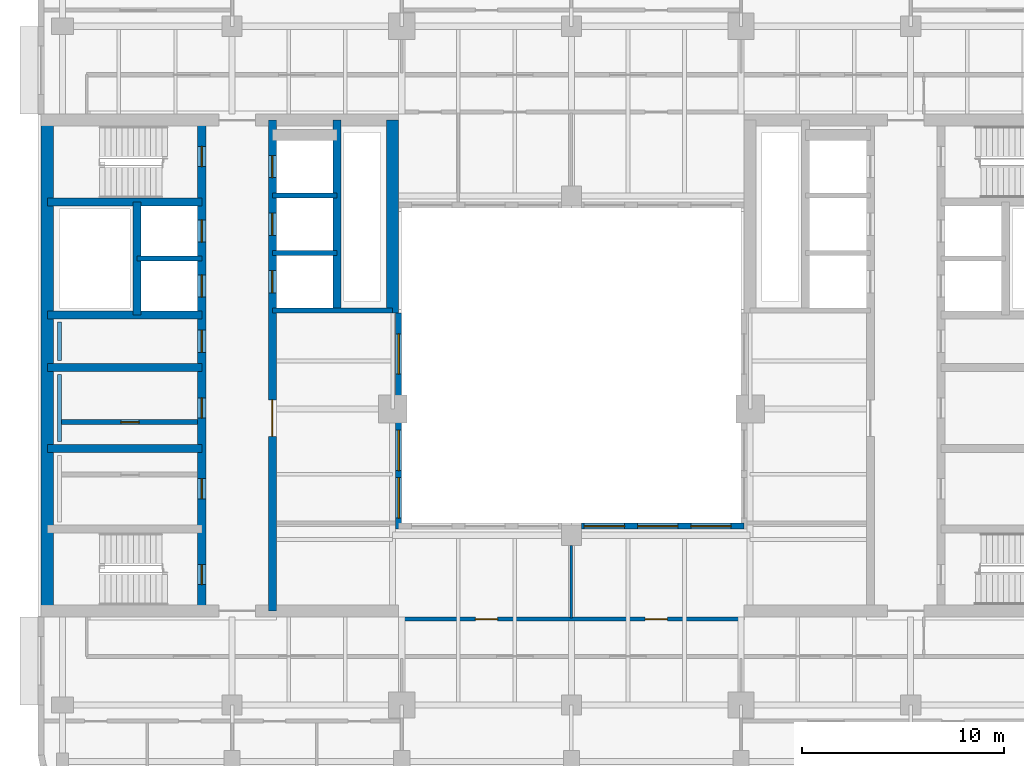
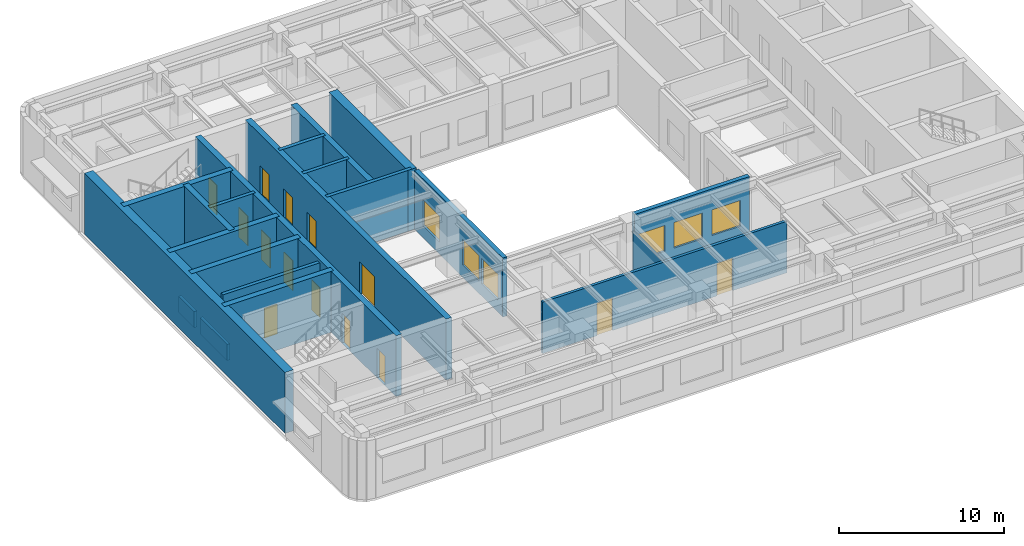
# One storey, part 4 of 11: 21 walls, 14 doors, 6 windows, 20 openings.
"""IFC4 building model written with IfcOpenShell, lengths in metres."""

from ifc_helpers import new_model, si_unit, direction, frame, frame_2d, origin, place, context, subcontext, project, spatial, rectangle, extrude, material, layer, layer_set, type_object, element, fill, save


model = new_model("IFC4")

# Units and contexts
model_context = context("Model", 3, precision=1e-05, world=origin(), true_north=direction((0.0, 1.0)))
body_context = subcontext(model_context, "Body", "Model", "MODEL_VIEW")
ifc_project = project(units=[si_unit("LENGTHUNIT", "METRE"), si_unit("AREAUNIT", "SQUARE_METRE"), si_unit("VOLUMEUNIT", "CUBIC_METRE"), si_unit("PLANEANGLEUNIT", "RADIAN"), si_unit("MASSUNIT", "GRAM", prefix="KILO")], contexts=[model_context])

# Site, building, storey
site_placement = place(None, origin())
site = spatial("IfcSite", under=ifc_project, at=site_placement, CompositionType="ELEMENT")
building_placement = place(site_placement, origin())
building = spatial("IfcBuilding", under=site, at=building_placement, Name="Claustro Exchange Tower", CompositionType="ELEMENT")
storey_placement = place(building_placement, frame((0.0, 0.0, 259.199951171875)))
storey = spatial("IfcBuildingStorey", under=building, at=storey_placement, Name="L59", CompositionType="ELEMENT", Elevation=259.199951171875)

# Wall
ifc_material_1 = material(Name="Laminated glass in aluminium frame", Category="aluminium")
ifc_layer_1 = layer(ifc_material_1, 0.1201171875)
ifc_layer_set_1 = layer_set([ifc_layer_1], Name="Laminated glass in aluminium frame")
wall_type_1 = type_object("IfcWallType", Name="P2 120 glazed partition", PredefinedType="PARTITIONING", material=ifc_layer_set_1)
wall_1_placement = place(storey_placement, frame((25.199951171875, 12.697998046875, 0.0), z_axis=(0.0, 0.0, 1.0), x_axis=(0.0, 1.0, 0.0)))
element("IfcWall", 1, at=wall_1_placement, inside=storey, type_object=wall_type_1, Name="Partition P2 L59", PredefinedType="PARTITIONING", context=body_context, shape_type="SweptSolid", body=[
    extrude(rectangle(XDim=3.60302734375, YDim=0.1201171875, at=frame_2d((1.801513671875, 0.0))), origin(), (0.0, 0.0, 1.0), 3.800048828125),
])

# Wall, openings, doors
ifc_material_2 = material(Name="Twin-skin gypsum board on steel studs, mineral wool", Category="steel")
ifc_layer_2 = layer(ifc_material_2, 0.199951171875)
ifc_layer_set_2 = layer_set([ifc_layer_2], Name="Twin-skin gypsum board on steel studs, mineral wool")
wall_type_2 = type_object("IfcWallType", Name="P3 200 acoustic partition", PredefinedType="PARTITIONING", material=ifc_layer_set_2)
wall_2_placement = place(storey_placement, frame((16.64990234375, 12.64990234375, 0.0), z_axis=(0.0, 0.0, 1.0), x_axis=(1.0, 0.0, 0.0)))
wall_2 = element("IfcWall", 2, at=wall_2_placement, inside=storey, type_object=wall_type_2, Name="Partition P3 L59", PredefinedType="PARTITIONING", context=body_context, shape_type="SweptSolid", body=[
    extrude(rectangle(XDim=17.10009765625, YDim=0.199951171875, at=frame_2d((8.550048828125, 0.0))), origin(), (0.0, 0.0, 1.0), 3.800048828125),
])
opening_1_placement = place(wall_2_placement, frame((3.80029296875, 0.0, 0.0)))
opening_1 = element("IfcOpeningElement", 3, at=opening_1_placement, cuts=wall_2, Name="Opening D8", PredefinedType="OPENING", context=body_context, shape_type="SweptSolid", body=[
    extrude(rectangle(XDim=1.10009765625, YDim=2.39990234375, at=frame_2d((0.550048828125, 1.199951171875))), frame((0.0, 0.10986328125, 0.0), z_axis=(0.0, -1.0, 0.0), x_axis=(1.0, 0.0, 0.0)), (0.0, 0.0, 1.0), 0.219970703125),
])
opening_2_placement = place(wall_2_placement, frame((12.2001953125, 0.0, 0.0)))
opening_2 = element("IfcOpeningElement", 4, at=opening_2_placement, cuts=wall_2, Name="Opening D8", PredefinedType="OPENING", context=body_context, shape_type="SweptSolid", body=[
    extrude(rectangle(XDim=1.10009765625, YDim=2.39990234375, at=frame_2d((0.550048828125, 1.199951171875))), frame((0.0, 0.10986328125, 0.0), z_axis=(0.0, -1.0, 0.0), x_axis=(1.0, 0.0, 0.0)), (0.0, 0.0, 1.0), 0.219970703125),
])
ifc_material_3 = material(Name="Timber door, walnut veneer", Category="wood")
door_type_1 = type_object("IfcDoorType", Name="D8 1100 x 2400 executive door", OperationType="SINGLE_SWING_LEFT", PredefinedType="DOOR", material=ifc_material_3)
door_1_placement = place(opening_1_placement, frame((1.10009765625, 0.0, 0.0), z_axis=(0.0, 0.0, 1.0), x_axis=(-1.0, 0.0, 0.0)))
door_1 = element("IfcDoor", 5, at=door_1_placement, inside=storey, type_object=door_type_1, Name="Door D8 L59", OperationType="SINGLE_SWING_RIGHT", OverallHeight=2.39990234375, OverallWidth=1.10009765625, PredefinedType="DOOR", context=body_context, shape_type="SweptSolid", body=[
    extrude(rectangle(XDim=1.10009765625, YDim=2.39990234375, at=frame_2d((0.550048828125, 1.199951171875))), frame((0.0, 0.02490234375, 0.0), z_axis=(0.0, -1.0, 0.0), x_axis=(1.0, 0.0, 0.0)), (0.0, 0.0, 1.0), 0.050048828125),
])
fill(opening_1, door_1)
door_2_placement = place(opening_2_placement, origin())
door_2 = element("IfcDoor", 6, at=door_2_placement, inside=storey, type_object=door_type_1, Name="Door D8 L59", OperationType="SINGLE_SWING_RIGHT", OverallHeight=2.39990234375, OverallWidth=1.10009765625, PredefinedType="DOOR", context=body_context, shape_type="SweptSolid", body=[
    extrude(rectangle(XDim=1.10009765625, YDim=2.39990234375, at=frame_2d((0.550048828125, 1.199951171875))), frame((0.0, 0.02490234375, 0.0), z_axis=(0.0, -1.0, 0.0), x_axis=(1.0, 0.0, 0.0)), (0.0, 0.0, 1.0), 0.050048828125),
])
fill(opening_2, door_2)

# Wall, opening, door
ifc_material_4 = material(Name="Concrete blockwork, rendered", Category="masonry")
ifc_layer_3 = layer(ifc_material_4, 0.25)
ifc_layer_set_3 = layer_set([ifc_layer_3], Name="Concrete blockwork, rendered")
wall_type_3 = type_object("IfcWallType", Name="P4 250 blockwork wall", PredefinedType="PARTITIONING", material=ifc_layer_set_3)
wall_3_placement = place(storey_placement, frame((-0.050048828125, 22.39990234375, 0.0), z_axis=(0.0, 0.0, 1.0), x_axis=(1.0, 0.0, 0.0)))
wall_3 = element("IfcWall", 7, at=wall_3_placement, inside=storey, type_object=wall_type_3, Name="Partition P4 L59", PredefinedType="PARTITIONING", context=body_context, shape_type="SweptSolid", body=[
    extrude(rectangle(XDim=6.75, YDim=0.25, at=frame_2d((3.375, 0.0))), origin(), (0.0, 0.0, 1.0), 4.300048828125),
])
opening_3_placement = place(wall_3_placement, frame((2.949951171875, 0.0, 0.0)))
opening_3 = element("IfcOpeningElement", 8, at=opening_3_placement, cuts=wall_3, Name="Opening D5", PredefinedType="OPENING", context=body_context, shape_type="SweptSolid", body=[
    extrude(rectangle(XDim=0.89990234375, YDim=2.199951171875, at=frame_2d((0.449951171875, 1.10009765625))), frame((0.0, 0.135009765625, 0.0), z_axis=(0.0, -1.0, 0.0), x_axis=(1.0, 0.0, 0.0)), (0.0, 0.0, 1.0), 0.27001953125),
])
ifc_material_5 = material(Name="Steel door, painted", Category="steel")
door_type_2 = type_object("IfcDoorType", Name="D5 900 x 2200 store door", OperationType="SINGLE_SWING_LEFT", PredefinedType="DOOR", material=ifc_material_5)
door_3_placement = place(opening_3_placement, frame((0.89990234375, 0.0, 0.0), z_axis=(0.0, 0.0, 1.0), x_axis=(-1.0, 0.0, 0.0)))
door_3 = element("IfcDoor", 9, at=door_3_placement, inside=storey, type_object=door_type_2, Name="Store door D5 L59", OperationType="SINGLE_SWING_LEFT", OverallHeight=2.199951171875, OverallWidth=0.89990234375, PredefinedType="DOOR", context=body_context, shape_type="SweptSolid", body=[
    extrude(rectangle(XDim=0.89990234375, YDim=2.199951171875, at=frame_2d((0.449951171875, 1.10009765625))), frame((0.0, 0.02490234375, 0.0), z_axis=(0.0, -1.0, 0.0), x_axis=(1.0, 0.0, 0.0)), (0.0, 0.0, 1.0), 0.050048828125),
])
fill(opening_3, door_3)

# Wall, openings, windows
ifc_material_6 = material(Name="Concrete HA-40 (C40/50), precast, white cement, acid-etched", Category="concrete")
ifc_layer_4 = layer(ifc_material_6, 0.300048828125)
ifc_layer_set_4 = layer_set([ifc_layer_4], Name="Concrete HA-40 (C40/50), precast, white cement, acid-etched")
wall_type_4 = type_object("IfcWallType", Name="PC1 300 precast concrete pier panel", PredefinedType="SOLIDWALL", material=ifc_layer_set_4)
wall_4_placement = place(storey_placement, frame((16.64990234375, 17.10009765625, 0.0), z_axis=(0.0, 0.0, 1.0), x_axis=(0.0, 1.0, 0.0)))
wall_4 = element("IfcWall", 10, at=wall_4_placement, inside=storey, type_object=wall_type_4, Name="Precast pier panel PC1 L59", PredefinedType="SOLIDWALL", context=body_context, shape_type="SweptSolid", body=[
    extrude(rectangle(XDim=10.699951171875, YDim=0.300048828125, at=frame_2d((5.35009765625, 0.0))), origin(), (0.0, 0.0, 1.0), 4.35009765625),
])
opening_4_placement = place(wall_4_placement, frame((0.550048828125, 0.0, 0.89990234375)))
opening_4 = element("IfcOpeningElement", 11, at=opening_4_placement, cuts=wall_4, Name="Opening W4", PredefinedType="OPENING", context=body_context, shape_type="SweptSolid", body=[
    extrude(rectangle(XDim=2.0, YDim=1.89990234375, at=frame_2d((1.0, 0.949951171875))), frame((0.0, 0.159912109375, 0.0), z_axis=(0.0, -1.0, 0.0), x_axis=(1.0, 0.0, 0.0)), (0.0, 0.0, 1.0), 0.320068359375),
])
opening_5_placement = place(wall_4_placement, frame((2.89990234375, 0.0, 0.89990234375)))
opening_5 = element("IfcOpeningElement", 12, at=opening_5_placement, cuts=wall_4, Name="Opening W4", PredefinedType="OPENING", context=body_context, shape_type="SweptSolid", body=[
    extrude(rectangle(XDim=2.0, YDim=1.89990234375, at=frame_2d((1.0, 0.949951171875))), frame((0.0, 0.159912109375, 0.0), z_axis=(0.0, -1.0, 0.0), x_axis=(1.0, 0.0, 0.0)), (0.0, 0.0, 1.0), 0.320068359375),
])
opening_6_placement = place(wall_4_placement, frame((7.675048828125, 0.0, 0.89990234375)))
opening_6 = element("IfcOpeningElement", 13, at=opening_6_placement, cuts=wall_4, Name="Opening W4", PredefinedType="OPENING", context=body_context, shape_type="SweptSolid", body=[
    extrude(rectangle(XDim=2.0, YDim=1.89990234375, at=frame_2d((1.0, 0.949951171875))), frame((0.0, 0.159912109375, 0.0), z_axis=(0.0, -1.0, 0.0), x_axis=(1.0, 0.0, 0.0)), (0.0, 0.0, 1.0), 0.320068359375),
])
ifc_material_7 = material(Name="Aluminium frame, clear double glazing", Category="aluminium")
window_type = type_object("IfcWindowType", Name="W4 2000 x 1900 light well window", PartitioningType="SINGLE_PANEL", PredefinedType="WINDOW", material=ifc_material_7)
window_1_placement = place(opening_4_placement, origin())
window_1 = element("IfcWindow", 14, at=window_1_placement, inside=storey, type_object=window_type, Name="Window W4 L59", OverallHeight=1.89990234375, OverallWidth=2.0, PartitioningType="SINGLE_PANEL", PredefinedType="WINDOW", context=body_context, shape_type="SweptSolid", body=[
    extrude(rectangle(XDim=2.0, YDim=1.89990234375, at=frame_2d((1.0, 0.949951171875))), frame((0.0, 0.030029296875, 0.0), z_axis=(0.0, -1.0, 0.0), x_axis=(1.0, 0.0, 0.0)), (0.0, 0.0, 1.0), 0.06005859375),
])
fill(opening_4, window_1)
window_2_placement = place(opening_5_placement, origin())
window_2 = element("IfcWindow", 15, at=window_2_placement, inside=storey, type_object=window_type, Name="Window W4 L59", OverallHeight=1.89990234375, OverallWidth=2.0, PartitioningType="SINGLE_PANEL", PredefinedType="WINDOW", context=body_context, shape_type="SweptSolid", body=[
    extrude(rectangle(XDim=2.0, YDim=1.89990234375, at=frame_2d((1.0, 0.949951171875))), frame((0.0, 0.030029296875, 0.0), z_axis=(0.0, -1.0, 0.0), x_axis=(1.0, 0.0, 0.0)), (0.0, 0.0, 1.0), 0.06005859375),
])
fill(opening_5, window_2)
window_3_placement = place(opening_6_placement, origin())
window_3 = element("IfcWindow", 16, at=window_3_placement, inside=storey, type_object=window_type, Name="Window W4 L59", OverallHeight=1.89990234375, OverallWidth=2.0, PartitioningType="SINGLE_PANEL", PredefinedType="WINDOW", context=body_context, shape_type="SweptSolid", body=[
    extrude(rectangle(XDim=2.0, YDim=1.89990234375, at=frame_2d((1.0, 0.949951171875))), frame((0.0, 0.030029296875, 0.0), z_axis=(0.0, -1.0, 0.0), x_axis=(1.0, 0.0, 0.0)), (0.0, 0.0, 1.0), 0.06005859375),
])
fill(opening_6, window_3)

wall_5_placement = place(storey_placement, frame((25.699951171875, 17.25, 0.0), z_axis=(0.0, 0.0, 1.0), x_axis=(1.0, 0.0, 0.0)))
wall_5 = element("IfcWall", 17, at=wall_5_placement, inside=storey, type_object=wall_type_4, Name="Precast pier panel PC1 L59", PredefinedType="SOLIDWALL", context=body_context, shape_type="SweptSolid", body=[
    extrude(rectangle(XDim=8.050048828125, YDim=0.300048828125, at=frame_2d((4.02490234375, 0.0))), origin(), (0.0, 0.0, 1.0), 4.35009765625),
])
opening_7_placement = place(wall_5_placement, frame((0.137451171875, 0.0, 0.89990234375)))
opening_7 = element("IfcOpeningElement", 18, at=opening_7_placement, cuts=wall_5, Name="Opening W4", PredefinedType="OPENING", context=body_context, shape_type="SweptSolid", body=[
    extrude(rectangle(XDim=2.0, YDim=1.89990234375, at=frame_2d((1.0, 0.949951171875))), frame((0.0, 0.159912109375, 0.0), z_axis=(0.0, -1.0, 0.0), x_axis=(1.0, 0.0, 0.0)), (0.0, 0.0, 1.0), 0.320068359375),
])
opening_8_placement = place(wall_5_placement, frame((2.77490234375, 0.0, 0.89990234375)))
opening_8 = element("IfcOpeningElement", 19, at=opening_8_placement, cuts=wall_5, Name="Opening W4", PredefinedType="OPENING", context=body_context, shape_type="SweptSolid", body=[
    extrude(rectangle(XDim=2.0, YDim=1.89990234375, at=frame_2d((1.0, 0.949951171875))), frame((0.0, 0.159912109375, 0.0), z_axis=(0.0, -1.0, 0.0), x_axis=(1.0, 0.0, 0.0)), (0.0, 0.0, 1.0), 0.320068359375),
])
opening_9_placement = place(wall_5_placement, frame((5.41259765625, 0.0, 0.89990234375)))
opening_9 = element("IfcOpeningElement", 20, at=opening_9_placement, cuts=wall_5, Name="Opening W4", PredefinedType="OPENING", context=body_context, shape_type="SweptSolid", body=[
    extrude(rectangle(XDim=2.0, YDim=1.89990234375, at=frame_2d((1.0, 0.949951171875))), frame((0.0, 0.159912109375, 0.0), z_axis=(0.0, -1.0, 0.0), x_axis=(1.0, 0.0, 0.0)), (0.0, 0.0, 1.0), 0.320068359375),
])
window_4_placement = place(opening_7_placement, origin())
window_4 = element("IfcWindow", 21, at=window_4_placement, inside=storey, type_object=window_type, Name="Window W4 L59", OverallHeight=1.89990234375, OverallWidth=2.0, PartitioningType="SINGLE_PANEL", PredefinedType="WINDOW", context=body_context, shape_type="SweptSolid", body=[
    extrude(rectangle(XDim=2.0, YDim=1.89990234375, at=frame_2d((1.0, 0.949951171875))), frame((0.0, 0.030029296875, 0.0), z_axis=(0.0, -1.0, 0.0), x_axis=(1.0, 0.0, 0.0)), (0.0, 0.0, 1.0), 0.06005859375),
])
fill(opening_7, window_4)
window_5_placement = place(opening_8_placement, origin())
window_5 = element("IfcWindow", 22, at=window_5_placement, inside=storey, type_object=window_type, Name="Window W4 L59", OverallHeight=1.89990234375, OverallWidth=2.0, PartitioningType="SINGLE_PANEL", PredefinedType="WINDOW", context=body_context, shape_type="SweptSolid", body=[
    extrude(rectangle(XDim=2.0, YDim=1.89990234375, at=frame_2d((1.0, 0.949951171875))), frame((0.0, 0.030029296875, 0.0), z_axis=(0.0, -1.0, 0.0), x_axis=(1.0, 0.0, 0.0)), (0.0, 0.0, 1.0), 0.06005859375),
])
fill(opening_8, window_5)
window_6_placement = place(opening_9_placement, origin())
window_6 = element("IfcWindow", 23, at=window_6_placement, inside=storey, type_object=window_type, Name="Window W4 L59", OverallHeight=1.89990234375, OverallWidth=2.0, PartitioningType="SINGLE_PANEL", PredefinedType="WINDOW", context=body_context, shape_type="SweptSolid", body=[
    extrude(rectangle(XDim=2.0, YDim=1.89990234375, at=frame_2d((1.0, 0.949951171875))), frame((0.0, 0.030029296875, 0.0), z_axis=(0.0, -1.0, 0.0), x_axis=(1.0, 0.0, 0.0)), (0.0, 0.0, 1.0), 0.06005859375),
])
fill(opening_9, window_6)

# Walls
ifc_material_8 = material(Name="Gypsum board on steel studs, tiled", Category="steel")
ifc_layer_5 = layer(ifc_material_8, 0.199951171875)
ifc_layer_set_5 = layer_set([ifc_layer_5], Name="Gypsum board on steel studs, tiled")
wall_type_5 = type_object("IfcWallType", Name="PW1 200 WC duct wall", PredefinedType="PLUMBINGWALL", material=ifc_layer_set_5)
wall_6_placement = place(storey_placement, frame((-0.14990234375, 21.449951171875, 0.0), z_axis=(0.0, 0.0, 1.0), x_axis=(0.0, 1.0, 0.0)))
element("IfcWall", 24, at=wall_6_placement, inside=storey, type_object=wall_type_5, Name="WC duct wall PW1 L59", PredefinedType="PLUMBINGWALL", context=body_context, shape_type="SweptSolid", body=[
    extrude(rectangle(XDim=3.300048828125, YDim=0.199951171875, at=frame_2d((1.64990234375, 0.0))), origin(), (0.0, 0.0, 1.0), 1.199951171875),
])
wall_7_placement = place(storey_placement, frame((-0.14990234375, 25.449951171875, 0.0), z_axis=(0.0, 0.0, 1.0), x_axis=(0.0, 1.0, 0.0)))
element("IfcWall", 25, at=wall_7_placement, inside=storey, type_object=wall_type_5, Name="WC duct wall PW1 L59", PredefinedType="PLUMBINGWALL", context=body_context, shape_type="SweptSolid", body=[
    extrude(rectangle(XDim=1.900146484375, YDim=0.199951171875, at=frame_2d((0.9501953125, 0.0))), origin(), (0.0, 0.0, 1.0), 1.199951171875),
])
ifc_material_9 = material(Name="Concrete HA-50 (C50/60)", Category="concrete")
ifc_layer_6 = layer(ifc_material_9, 0.60009765625)
ifc_layer_set_6 = layer_set([ifc_layer_6], Name="Concrete HA-50 (C50/60)")
wall_type_6 = type_object("IfcWallType", Name="SW3X 600 exposed core shear wall, board-marked face", PredefinedType="SHEAR", material=ifc_layer_set_6)
wall_8_placement = place(storey_placement, frame((-0.75, 13.050048828125, 0.0), z_axis=(0.0, 0.0, 1.0), x_axis=(0.0, 1.0, 0.0)))
element("IfcWall", 26, at=wall_8_placement, inside=storey, type_object=wall_type_6, Name="Core wall SW3X W core W face L59", PredefinedType="SHEAR", context=body_context, shape_type="SweptSolid", body=[
    extrude(rectangle(XDim=24.300048828125, YDim=0.60009765625, at=frame_2d((12.14990234375, 0.0))), origin(), (0.0, 0.0, 1.0), 4.5),
])
wall_9_placement = place(storey_placement, frame((16.35009765625, 27.800048828125, 0.0), z_axis=(0.0, 0.0, 1.0), x_axis=(0.0, 1.0, 0.0)))
element("IfcWall", 27, at=wall_9_placement, inside=storey, type_object=wall_type_6, Name="Core wall SW3X W core E face L59", PredefinedType="SHEAR", context=body_context, shape_type="SweptSolid", body=[
    extrude(rectangle(XDim=9.550048828125, YDim=0.60009765625, at=frame_2d((4.77490234375, 0.0))), origin(), (0.0, 0.0, 1.0), 4.5),
])

# Wall, openings, doors
ifc_material_10 = material(Name="Concrete HA-50 (C50/60)", Category="concrete")
ifc_layer_7 = layer(ifc_material_10, 0.39990234375)
ifc_layer_set_7 = layer_set([ifc_layer_7], Name="Concrete HA-50 (C50/60)")
wall_type_7 = type_object("IfcWallType", Name="SW4 400 internal core wall", PredefinedType="SHEAR", material=ifc_layer_set_7)
wall_10_placement = place(storey_placement, frame((6.89990234375, 13.050048828125, 0.0), z_axis=(0.0, 0.0, 1.0), x_axis=(0.0, 1.0, 0.0)))
wall_10 = element("IfcWall", 28, at=wall_10_placement, inside=storey, type_object=wall_type_7, Name="Internal core wall SW4 W core L59", PredefinedType="SHEAR", context=body_context, shape_type="SweptSolid", body=[
    extrude(rectangle(XDim=24.300048828125, YDim=0.39990234375, at=frame_2d((12.14990234375, 0.0))), origin(), (0.0, 0.0, 1.0), 4.5),
])
opening_10_placement = place(wall_10_placement, frame((1.300048828125, 0.0, 0.0)))
opening_10 = element("IfcOpeningElement", 29, at=opening_10_placement, cuts=wall_10, Name="Opening D4", PredefinedType="OPENING", context=body_context, shape_type="SweptSolid", body=[
    extrude(rectangle(XDim=1.0, YDim=2.199951171875, at=frame_2d((0.5, 1.10009765625))), frame((0.0, 0.2099609375, 0.0), z_axis=(0.0, -1.0, 0.0), x_axis=(1.0, 0.0, 0.0)), (0.0, 0.0, 1.0), 0.419921875),
])
opening_11_placement = place(wall_10_placement, frame((22.0, 0.0, 0.0)))
opening_11 = element("IfcOpeningElement", 30, at=opening_11_placement, cuts=wall_10, Name="Opening D4", PredefinedType="OPENING", context=body_context, shape_type="SweptSolid", body=[
    extrude(rectangle(XDim=1.0, YDim=2.199951171875, at=frame_2d((0.5, 1.10009765625))), frame((0.0, 0.2099609375, 0.0), z_axis=(0.0, -1.0, 0.0), x_axis=(1.0, 0.0, 0.0)), (0.0, 0.0, 1.0), 0.419921875),
])
opening_12_placement = place(wall_10_placement, frame((5.550048828125, 0.0, 0.0)))
opening_12 = element("IfcOpeningElement", 31, at=opening_12_placement, cuts=wall_10, Name="Opening D1", PredefinedType="OPENING", context=body_context, shape_type="SweptSolid", body=[
    extrude(rectangle(XDim=1.0, YDim=2.199951171875, at=frame_2d((0.5, 1.10009765625))), frame((0.0, 0.2099609375, 0.0), z_axis=(0.0, -1.0, 0.0), x_axis=(1.0, 0.0, 0.0)), (0.0, 0.0, 1.0), 0.419921875),
])
opening_13_placement = place(wall_10_placement, frame((9.550048828125, 0.0, 0.0)))
opening_13 = element("IfcOpeningElement", 32, at=opening_13_placement, cuts=wall_10, Name="Opening D1", PredefinedType="OPENING", context=body_context, shape_type="SweptSolid", body=[
    extrude(rectangle(XDim=1.0, YDim=2.199951171875, at=frame_2d((0.5, 1.10009765625))), frame((0.0, 0.2099609375, 0.0), z_axis=(0.0, -1.0, 0.0), x_axis=(1.0, 0.0, 0.0)), (0.0, 0.0, 1.0), 0.419921875),
])
opening_14_placement = place(wall_10_placement, frame((12.800048828125, 0.0, 0.0)))
opening_14 = element("IfcOpeningElement", 33, at=opening_14_placement, cuts=wall_10, Name="Opening D10", PredefinedType="OPENING", context=body_context, shape_type="SweptSolid", body=[
    extrude(rectangle(XDim=1.10009765625, YDim=2.199951171875, at=frame_2d((0.550048828125, 1.10009765625))), frame((0.0, 0.2099609375, 0.0), z_axis=(0.0, -1.0, 0.0), x_axis=(1.0, 0.0, 0.0)), (0.0, 0.0, 1.0), 0.419921875),
])
opening_15_placement = place(wall_10_placement, frame((15.53759765625, 0.0, 0.0)))
opening_15 = element("IfcOpeningElement", 34, at=opening_15_placement, cuts=wall_10, Name="Opening LD", PredefinedType="OPENING", context=body_context, shape_type="SweptSolid", body=[
    extrude(rectangle(XDim=1.10009765625, YDim=2.199951171875, at=frame_2d((0.550048828125, 1.10009765625))), frame((0.0, 0.2099609375, 0.0), z_axis=(0.0, -1.0, 0.0), x_axis=(1.0, 0.0, 0.0)), (0.0, 0.0, 1.0), 0.419921875),
])
opening_16_placement = place(wall_10_placement, frame((18.262451171875, 0.0, 0.0)))
opening_16 = element("IfcOpeningElement", 35, at=opening_16_placement, cuts=wall_10, Name="Opening LD", PredefinedType="OPENING", context=body_context, shape_type="SweptSolid", body=[
    extrude(rectangle(XDim=1.10009765625, YDim=2.199951171875, at=frame_2d((0.550048828125, 1.10009765625))), frame((0.0, 0.2099609375, 0.0), z_axis=(0.0, -1.0, 0.0), x_axis=(1.0, 0.0, 0.0)), (0.0, 0.0, 1.0), 0.419921875),
])
ifc_material_11 = material(Name="Timber door, oak veneer", Category="wood")
door_type_3 = type_object("IfcDoorType", Name="D1 1000 x 2200 single door", OperationType="SINGLE_SWING_LEFT", PredefinedType="DOOR", material=ifc_material_11)
door_4_placement = place(opening_12_placement, origin())
door_4 = element("IfcDoor", 36, at=door_4_placement, inside=storey, type_object=door_type_3, Name="Door D1 L59", OperationType="SINGLE_SWING_RIGHT", OverallHeight=2.199951171875, OverallWidth=1.0, PredefinedType="DOOR", context=body_context, shape_type="SweptSolid", body=[
    extrude(rectangle(XDim=1.0, YDim=2.199951171875, at=frame_2d((0.5, 1.10009765625))), frame((0.0, 0.02490234375, 0.0), z_axis=(0.0, -1.0, 0.0), x_axis=(1.0, 0.0, 0.0)), (0.0, 0.0, 1.0), 0.050048828125),
])
fill(opening_12, door_4)
door_5_placement = place(opening_13_placement, origin())
door_5 = element("IfcDoor", 37, at=door_5_placement, inside=storey, type_object=door_type_3, Name="Door D1 L59", OperationType="SINGLE_SWING_LEFT", OverallHeight=2.199951171875, OverallWidth=1.0, PredefinedType="DOOR", context=body_context, shape_type="SweptSolid", body=[
    extrude(rectangle(XDim=1.0, YDim=2.199951171875, at=frame_2d((0.5, 1.10009765625))), frame((0.0, 0.02490234375, 0.0), z_axis=(0.0, -1.0, 0.0), x_axis=(1.0, 0.0, 0.0)), (0.0, 0.0, 1.0), 0.050048828125),
])
fill(opening_13, door_5)
ifc_material_12 = material(Name="Timber door, oak veneer", Category="wood")
door_type_4 = type_object("IfcDoorType", Name="D10 1100 x 2200 accessible WC door", OperationType="SINGLE_SWING_LEFT", PredefinedType="DOOR", material=ifc_material_12)
door_6_placement = place(opening_14_placement, frame((1.10009765625, 0.0, 0.0), z_axis=(0.0, 0.0, 1.0), x_axis=(-1.0, 0.0, 0.0)))
door_6 = element("IfcDoor", 38, at=door_6_placement, inside=storey, type_object=door_type_4, Name="Accessible WC door D10 L59", OperationType="SINGLE_SWING_LEFT", OverallHeight=2.199951171875, OverallWidth=1.10009765625, PredefinedType="DOOR", context=body_context, shape_type="SweptSolid", body=[
    extrude(rectangle(XDim=1.10009765625, YDim=2.199951171875, at=frame_2d((0.550048828125, 1.10009765625))), frame((0.0, 0.02490234375, 0.0), z_axis=(0.0, -1.0, 0.0), x_axis=(1.0, 0.0, 0.0)), (0.0, 0.0, 1.0), 0.050048828125),
])
fill(opening_14, door_6)
ifc_material_13 = material(Name="Steel fire door, painted", Category="steel")
door_type_5 = type_object("IfcDoorType", Name="D4 1000 x 2200 fire-rated stair door", OperationType="SINGLE_SWING_LEFT", PredefinedType="DOOR", material=ifc_material_13)
door_7_placement = place(opening_10_placement, origin())
door_7 = element("IfcDoor", 39, at=door_7_placement, inside=storey, type_object=door_type_5, Name="Stair door D4 L59", OperationType="SINGLE_SWING_LEFT", OverallHeight=2.199951171875, OverallWidth=1.0, PredefinedType="DOOR", context=body_context, shape_type="SweptSolid", body=[
    extrude(rectangle(XDim=1.0, YDim=2.199951171875, at=frame_2d((0.5, 1.10009765625))), frame((0.0, 0.02490234375, 0.0), z_axis=(0.0, -1.0, 0.0), x_axis=(1.0, 0.0, 0.0)), (0.0, 0.0, 1.0), 0.050048828125),
])
fill(opening_10, door_7)
door_8_placement = place(opening_11_placement, origin())
door_8 = element("IfcDoor", 40, at=door_8_placement, inside=storey, type_object=door_type_5, Name="Stair door D4 L59", OperationType="SINGLE_SWING_RIGHT", OverallHeight=2.199951171875, OverallWidth=1.0, PredefinedType="DOOR", context=body_context, shape_type="SweptSolid", body=[
    extrude(rectangle(XDim=1.0, YDim=2.199951171875, at=frame_2d((0.5, 1.10009765625))), frame((0.0, 0.02490234375, 0.0), z_axis=(0.0, -1.0, 0.0), x_axis=(1.0, 0.0, 0.0)), (0.0, 0.0, 1.0), 0.050048828125),
])
fill(opening_11, door_8)
ifc_material_14 = material(Name="Stainless steel sliding door", Category="steel")
door_type_6 = type_object("IfcDoorType", Name="LD 1100 x 2200 lift landing door", OperationType="DOUBLE_DOOR_SLIDING", PredefinedType="DOOR", material=ifc_material_14)
door_9_placement = place(opening_15_placement, origin())
door_9 = element("IfcDoor", 41, at=door_9_placement, inside=storey, type_object=door_type_6, Name="Lift landing door LEW1 LD L59", OperationType="DOUBLE_DOOR_SLIDING", OverallHeight=2.199951171875, OverallWidth=1.10009765625, PredefinedType="DOOR", context=body_context, shape_type="SweptSolid", body=[
    extrude(rectangle(XDim=1.10009765625, YDim=2.199951171875, at=frame_2d((0.550048828125, 1.10009765625))), frame((0.0, 0.02490234375, 0.0), z_axis=(0.0, -1.0, 0.0), x_axis=(1.0, 0.0, 0.0)), (0.0, 0.0, 1.0), 0.050048828125),
])
fill(opening_15, door_9)
door_10_placement = place(opening_16_placement, origin())
door_10 = element("IfcDoor", 42, at=door_10_placement, inside=storey, type_object=door_type_6, Name="Lift landing door LEW2 LD L59", OperationType="DOUBLE_DOOR_SLIDING", OverallHeight=2.199951171875, OverallWidth=1.10009765625, PredefinedType="DOOR", context=body_context, shape_type="SweptSolid", body=[
    extrude(rectangle(XDim=1.10009765625, YDim=2.199951171875, at=frame_2d((0.550048828125, 1.10009765625))), frame((0.0, 0.02490234375, 0.0), z_axis=(0.0, -1.0, 0.0), x_axis=(1.0, 0.0, 0.0)), (0.0, 0.0, 1.0), 0.050048828125),
])
fill(opening_16, door_10)

wall_11_placement = place(storey_placement, frame((10.39990234375, 13.050048828125, 0.0), z_axis=(0.0, 0.0, 1.0), x_axis=(0.0, 1.0, 0.0)))
wall_11 = element("IfcWall", 43, at=wall_11_placement, inside=storey, type_object=wall_type_7, Name="Internal core wall SW4 W core L59", PredefinedType="SHEAR", context=body_context, shape_type="SweptSolid", body=[
    extrude(rectangle(XDim=24.300048828125, YDim=0.39990234375, at=frame_2d((12.14990234375, 0.0))), origin(), (0.0, 0.0, 1.0), 4.5),
])
opening_17_placement = place(wall_11_placement, frame((15.75, 0.0, 0.0)))
opening_17 = element("IfcOpeningElement", 44, at=opening_17_placement, cuts=wall_11, Name="Opening LD", PredefinedType="OPENING", context=body_context, shape_type="SweptSolid", body=[
    extrude(rectangle(XDim=1.10009765625, YDim=2.199951171875, at=frame_2d((0.550048828125, 1.10009765625))), frame((0.0, 0.2099609375, 0.0), z_axis=(0.0, -1.0, 0.0), x_axis=(1.0, 0.0, 0.0)), (0.0, 0.0, 1.0), 0.419921875),
])
opening_18_placement = place(wall_11_placement, frame((18.60009765625, 0.0, 0.0)))
opening_18 = element("IfcOpeningElement", 45, at=opening_18_placement, cuts=wall_11, Name="Opening LD", PredefinedType="OPENING", context=body_context, shape_type="SweptSolid", body=[
    extrude(rectangle(XDim=1.10009765625, YDim=2.199951171875, at=frame_2d((0.550048828125, 1.10009765625))), frame((0.0, 0.2099609375, 0.0), z_axis=(0.0, -1.0, 0.0), x_axis=(1.0, 0.0, 0.0)), (0.0, 0.0, 1.0), 0.419921875),
])
opening_19_placement = place(wall_11_placement, frame((21.449951171875, 0.0, 0.0)))
opening_19 = element("IfcOpeningElement", 46, at=opening_19_placement, cuts=wall_11, Name="Opening LD", PredefinedType="OPENING", context=body_context, shape_type="SweptSolid", body=[
    extrude(rectangle(XDim=1.10009765625, YDim=2.199951171875, at=frame_2d((0.550048828125, 1.10009765625))), frame((0.0, 0.2099609375, 0.0), z_axis=(0.0, -1.0, 0.0), x_axis=(1.0, 0.0, 0.0)), (0.0, 0.0, 1.0), 0.419921875),
])
opening_20_placement = place(wall_11_placement, frame((8.64990234375, 0.0, 0.0)))
opening_20 = element("IfcOpeningElement", 47, at=opening_20_placement, cuts=wall_11, Name="Opening D3", PredefinedType="OPENING", context=body_context, shape_type="SweptSolid", body=[
    extrude(rectangle(XDim=1.800048828125, YDim=2.39990234375, at=frame_2d((0.89990234375, 1.199951171875))), frame((0.0, 0.2099609375, 0.0), z_axis=(0.0, -1.0, 0.0), x_axis=(1.0, 0.0, 0.0)), (0.0, 0.0, 1.0), 0.419921875),
])
ifc_material_15 = material(Name="Steel fire door, painted", Category="steel")
door_type_7 = type_object("IfcDoorType", Name="D3 1800 x 2400 fire-rated lobby double door", OperationType="DOUBLE_DOOR_SINGLE_SWING", PredefinedType="DOOR", material=ifc_material_15)
door_11_placement = place(opening_20_placement, frame((1.800048828125, 0.0, 0.0), z_axis=(0.0, 0.0, 1.0), x_axis=(-1.0, 0.0, 0.0)))
door_11 = element("IfcDoor", 48, at=door_11_placement, inside=storey, type_object=door_type_7, Name="Core zone door D3 L59", OperationType="DOUBLE_DOOR_SINGLE_SWING", OverallHeight=2.39990234375, OverallWidth=1.800048828125, PredefinedType="DOOR", context=body_context, shape_type="SweptSolid", body=[
    extrude(rectangle(XDim=1.800048828125, YDim=2.39990234375, at=frame_2d((0.89990234375, 1.199951171875))), frame((0.0, 0.02490234375, 0.0), z_axis=(0.0, -1.0, 0.0), x_axis=(1.0, 0.0, 0.0)), (0.0, 0.0, 1.0), 0.050048828125),
])
fill(opening_20, door_11)
door_12_placement = place(opening_17_placement, origin())
door_12 = element("IfcDoor", 49, at=door_12_placement, inside=storey, type_object=door_type_6, Name="Lift landing door LHW1 LD L59", OperationType="DOUBLE_DOOR_SLIDING", OverallHeight=2.199951171875, OverallWidth=1.10009765625, PredefinedType="DOOR", context=body_context, shape_type="SweptSolid", body=[
    extrude(rectangle(XDim=1.10009765625, YDim=2.199951171875, at=frame_2d((0.550048828125, 1.10009765625))), frame((0.0, 0.02490234375, 0.0), z_axis=(0.0, -1.0, 0.0), x_axis=(1.0, 0.0, 0.0)), (0.0, 0.0, 1.0), 0.050048828125),
])
fill(opening_17, door_12)
door_13_placement = place(opening_18_placement, origin())
door_13 = element("IfcDoor", 50, at=door_13_placement, inside=storey, type_object=door_type_6, Name="Lift landing door LHW2 LD L59", OperationType="DOUBLE_DOOR_SLIDING", OverallHeight=2.199951171875, OverallWidth=1.10009765625, PredefinedType="DOOR", context=body_context, shape_type="SweptSolid", body=[
    extrude(rectangle(XDim=1.10009765625, YDim=2.199951171875, at=frame_2d((0.550048828125, 1.10009765625))), frame((0.0, 0.02490234375, 0.0), z_axis=(0.0, -1.0, 0.0), x_axis=(1.0, 0.0, 0.0)), (0.0, 0.0, 1.0), 0.050048828125),
])
fill(opening_18, door_13)
door_14_placement = place(opening_19_placement, origin())
door_14 = element("IfcDoor", 51, at=door_14_placement, inside=storey, type_object=door_type_6, Name="Lift landing door LSW1 LD L59", OperationType="DOUBLE_DOOR_SLIDING", OverallHeight=2.199951171875, OverallWidth=1.10009765625, PredefinedType="DOOR", context=body_context, shape_type="SweptSolid", body=[
    extrude(rectangle(XDim=1.10009765625, YDim=2.199951171875, at=frame_2d((0.550048828125, 1.10009765625))), frame((0.0, 0.02490234375, 0.0), z_axis=(0.0, -1.0, 0.0), x_axis=(1.0, 0.0, 0.0)), (0.0, 0.0, 1.0), 0.050048828125),
])
fill(opening_19, door_14)

# Walls
wall_12_placement = place(storey_placement, frame((13.60009765625, 27.925048828125, 0.0), z_axis=(0.0, 0.0, 1.0), x_axis=(0.0, 1.0, 0.0)))
element("IfcWall", 52, at=wall_12_placement, inside=storey, type_object=wall_type_7, Name="Internal core wall SW4 W core L59", PredefinedType="SHEAR", context=body_context, shape_type="SweptSolid", body=[
    extrude(rectangle(XDim=9.425048828125, YDim=0.39990234375, at=frame_2d((4.71240234375, 0.0))), origin(), (0.0, 0.0, 1.0), 4.5),
])
for number, where, z_axis, x_axis, name in (
    (53, (-0.75, 21.10009765625, 0.0), (0.0, 0.0, 1.0), (1.0, 0.0, 0.0), "Internal core wall SW4 W core L59"),
    (54, (-0.75, 25.10009765625, 0.0), (0.0, 0.0, 1.0), (1.0, 0.0, 0.0), "Internal core wall SW4 W core L59"),
    (55, (-0.75, 27.699951171875, 0.0), (0.0, 0.0, 1.0), (1.0, 0.0, 0.0), "Internal core wall SW4 W core L59"),
    (56, (-0.75, 33.300048828125, 0.0), (0.0, 0.0, 1.0), (1.0, 0.0, 0.0), "Internal core wall SW4 W core L59"),
):
    element("IfcWall", number, at=place(storey_placement, frame(where, z_axis=z_axis, x_axis=x_axis)), inside=storey, type_object=wall_type_7, Name=name, PredefinedType="SHEAR", context=body_context, shape_type="SweptSolid", body=[
        extrude(rectangle(XDim=7.64990234375, YDim=0.39990234375, at=frame_2d((3.824951171875, 0.0))), origin(), (0.0, 0.0, 1.0), 4.5),
    ])
wall_13_placement = place(storey_placement, frame((3.699951171875, 27.699951171875, 0.0), z_axis=(0.0, 0.0, 1.0), x_axis=(0.0, 1.0, 0.0)))
element("IfcWall", 57, at=wall_13_placement, inside=storey, type_object=wall_type_7, Name="Internal core wall SW4 W core L59", PredefinedType="SHEAR", context=body_context, shape_type="SweptSolid", body=[
    extrude(rectangle(XDim=5.60009765625, YDim=0.39990234375, at=frame_2d((2.800048828125, 0.0))), origin(), (0.0, 0.0, 1.0), 4.5),
])
ifc_material_16 = material(Name="Concrete HA-50 (C50/60)", Category="concrete")
ifc_layer_8 = layer(ifc_material_16, 0.25)
ifc_layer_set_8 = layer_set([ifc_layer_8], Name="Concrete HA-50 (C50/60)")
wall_type_8 = type_object("IfcWallType", Name="SW5 250 lift shaft divider wall", PredefinedType="SHEAR", material=ifc_layer_set_8)
wall_14_placement = place(storey_placement, frame((3.699951171875, 30.5, 0.0), z_axis=(0.0, 0.0, 1.0), x_axis=(1.0, 0.0, 0.0)))
element("IfcWall", 58, at=wall_14_placement, inside=storey, type_object=wall_type_8, Name="Lift shaft wall W core L59", PredefinedType="SHEAR", context=body_context, shape_type="SweptSolid", body=[
    extrude(rectangle(XDim=3.199951171875, YDim=0.25, at=frame_2d((1.60009765625, 0.0))), origin(), (0.0, 0.0, 1.0), 4.5),
])
wall_15_placement = place(storey_placement, frame((10.39990234375, 27.925048828125, 0.0), z_axis=(0.0, 0.0, 1.0), x_axis=(1.0, 0.0, 0.0)))
element("IfcWall", 59, at=wall_15_placement, inside=storey, type_object=wall_type_8, Name="Core step wall W core L59", PredefinedType="SHEAR", context=body_context, shape_type="SweptSolid", body=[
    extrude(rectangle(XDim=5.9501953125, YDim=0.25, at=frame_2d((2.97509765625, 0.0))), origin(), (0.0, 0.0, 1.0), 4.5),
])
for number, where, z_axis, x_axis, name in (
    (60, (10.39990234375, 30.77490234375, 0.0), (0.0, 0.0, 1.0), (1.0, 0.0, 0.0), "Lift shaft wall W core L59"),
    (61, (10.39990234375, 33.625, 0.0), (0.0, 0.0, 1.0), (1.0, 0.0, 0.0), "Lift shaft wall W core L59"),
):
    element("IfcWall", number, at=place(storey_placement, frame(where, z_axis=z_axis, x_axis=x_axis)), inside=storey, type_object=wall_type_8, Name=name, PredefinedType="SHEAR", context=body_context, shape_type="SweptSolid", body=[
        extrude(rectangle(XDim=3.2001953125, YDim=0.25, at=frame_2d((1.60009765625, 0.0))), origin(), (0.0, 0.0, 1.0), 4.5),
    ])

save(model, "model.ifc")
